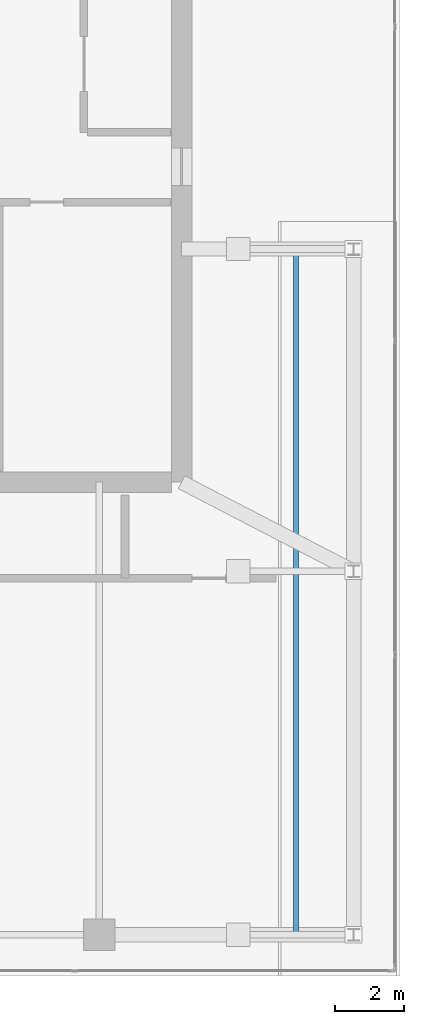
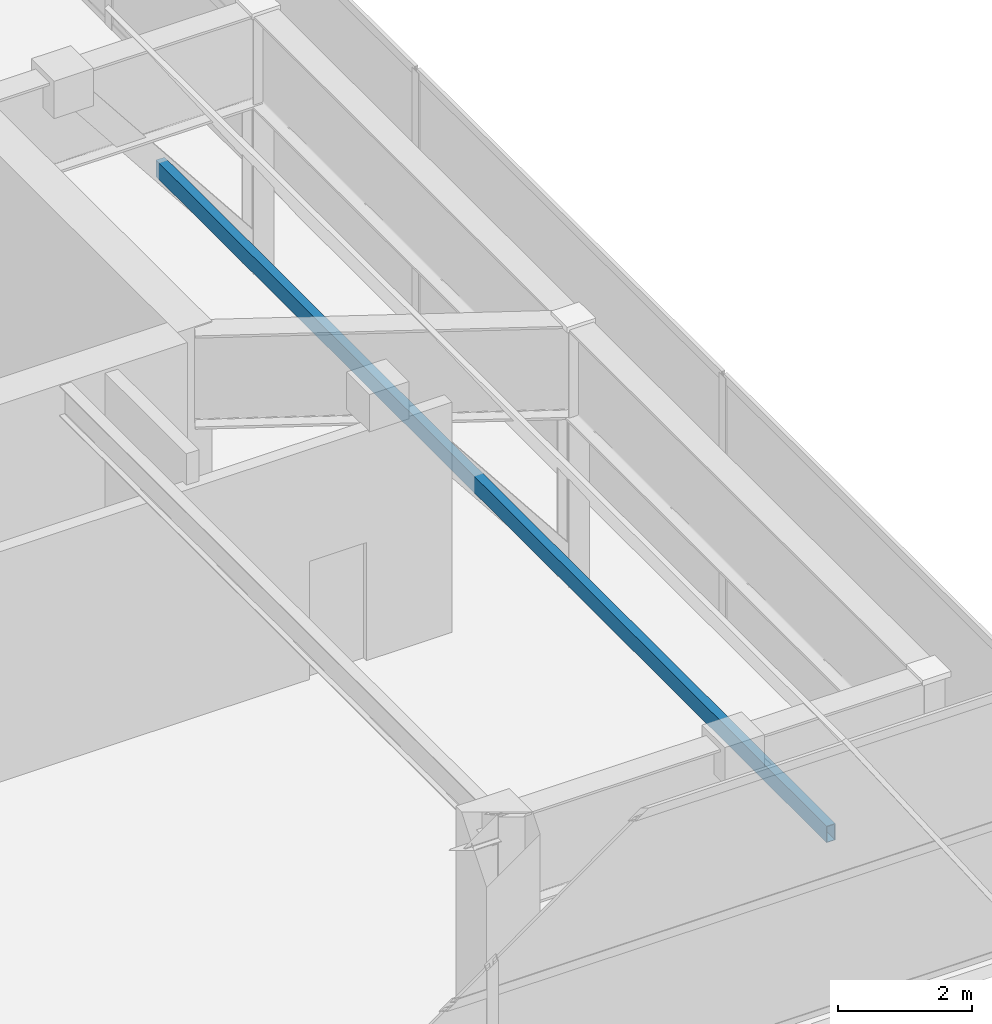
# One storey, part 7 of 20: 1 member.
"""IFC4 building model written with IfcOpenShell, lengths in metres."""

from ifc_helpers import new_model, si_unit, direction, frame, origin, origin_2d, place, context, subcontext, project, spatial, hollow_rectangle, extrude, material, material_profile, profile_set, type_object, element, save


model = new_model("IFC4")

# Units and contexts
model_context = context("Model", 3, precision=1e-05, world=origin(), true_north=direction((0.0, 1.0)))
body_context = subcontext(model_context, "Body", "Model", "MODEL_VIEW")
ifc_project = project(units=[si_unit("LENGTHUNIT", "METRE"), si_unit("AREAUNIT", "SQUARE_METRE"), si_unit("VOLUMEUNIT", "CUBIC_METRE"), si_unit("PLANEANGLEUNIT", "RADIAN"), si_unit("MASSUNIT", "GRAM", prefix="KILO")], contexts=[model_context])

# Site, building, storey
site_placement = place(None, origin())
site = spatial("IfcSite", under=ifc_project, at=site_placement, CompositionType="ELEMENT")
building_placement = place(site_placement, origin())
building = spatial("IfcBuilding", under=site, at=building_placement, Name="Calvorn Quay Hotel", CompositionType="ELEMENT")
storey_placement = place(building_placement, frame((0.0, 0.0, 340.5)))
storey = spatial("IfcBuildingStorey", under=building, at=storey_placement, Name="L83", CompositionType="ELEMENT", Elevation=340.5)

# Member
ifc_material = material(Name="Steel Q355B", Category="steel")
ifc_material_profile = material_profile(ifc_material, hollow_rectangle(XDim=0.14990234375, YDim=0.300048828125, WallThickness=0.010009765625, at=origin_2d()), Name="RHS300x150x10")
ifc_profile_set = profile_set([ifc_material_profile], Name="Steel Q355B")
member_type = type_object("IfcMemberType", Name="MEM-CRN-PURLIN1", PredefinedType="PURLIN", material=ifc_profile_set)
member_placement = place(storey_placement, frame((18.333984375, 3.60009765625, 2.3798828125), z_axis=(0.0, 1.0, 0.0), x_axis=(-1.0, 0.0, 0.0)))
element("IfcMember", 1, at=member_placement, inside=storey, type_object=member_type, Name="Crown Slanted Purlin L83-1", PredefinedType="PURLIN", context=body_context, shape_type="SweptSolid", body=[
    extrude(hollow_rectangle(XDim=0.14990234375, YDim=0.300048828125, WallThickness=0.010009765625, at=origin_2d()), origin(), (0.0, 0.0, 1.0), 20.0),
])

save(model, "model.ifc")
